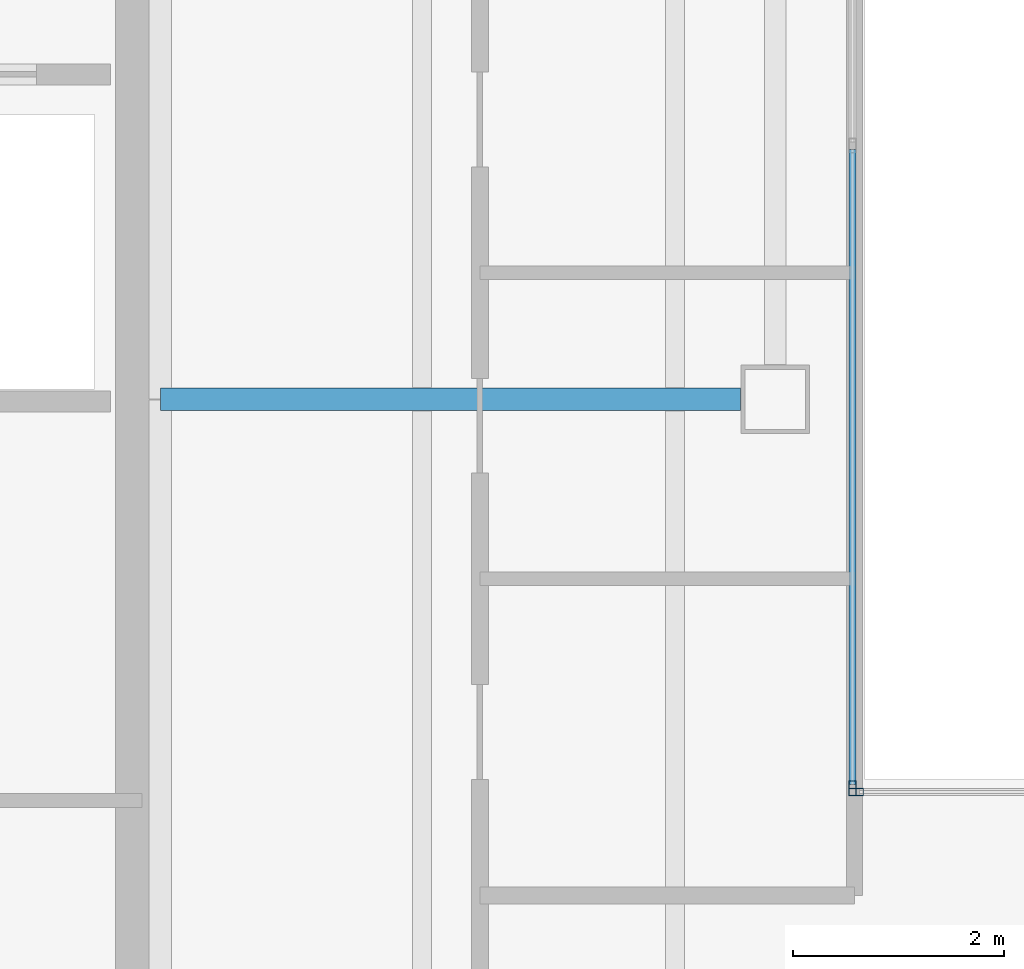
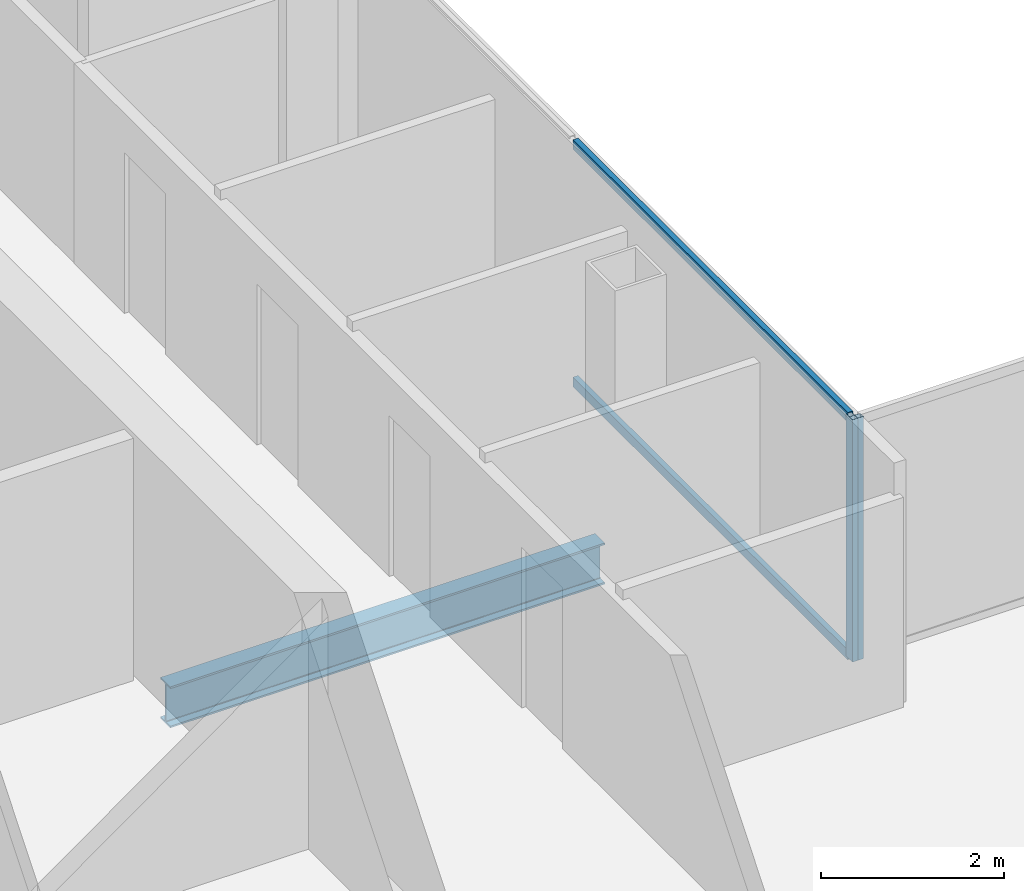
# One storey, part 8 of 23: 4 members, 1 beam, 2 elements without a shape of their own.
"""IFC4 building model written with IfcOpenShell, lengths in metres."""

from ifc_helpers import new_model, si_unit, direction, frame, origin, origin_2d, place, context, subcontext, project, spatial, hollow_rectangle, i_section, extrude, material, material_profile, profile_set, type_object, element, aggregate, save


model = new_model("IFC4")

# Units and contexts
model_context = context("Model", 3, precision=1e-05, world=origin(), true_north=direction((0.0, 1.0)))
body_context = subcontext(model_context, "Body", "Model", "MODEL_VIEW")
ifc_project = project(units=[si_unit("LENGTHUNIT", "METRE"), si_unit("AREAUNIT", "SQUARE_METRE"), si_unit("VOLUMEUNIT", "CUBIC_METRE"), si_unit("PLANEANGLEUNIT", "RADIAN"), si_unit("MASSUNIT", "GRAM", prefix="KILO")], contexts=[model_context])

# Site, building, storey
site_placement = place(None, origin())
site = spatial("IfcSite", under=ifc_project, at=site_placement, CompositionType="ELEMENT")
building_placement = place(site_placement, origin())
building = spatial("IfcBuilding", under=site, at=building_placement, Name="Cobrela Telecom Tower", CompositionType="ELEMENT")
storey_placement = place(building_placement, frame((0.0, 0.0, 258.64990234375)))
storey = spatial("IfcBuildingStorey", under=building, at=storey_placement, Name="L67", CompositionType="ELEMENT", Elevation=258.64990234375)

# Beam
ifc_material_1 = material(Name="Steel ASTM A992 Grade 50", Category="steel")
ifc_material_profile_1 = material_profile(ifc_material_1, i_section(OverallWidth=0.212890625, OverallDepth=0.549072265625, WebThickness=0.0146484375, FlangeThickness=0.023681640625, FilletRadius=0.013916015625, at=origin_2d()), Name="W21X93")
ifc_profile_set_1 = profile_set([ifc_material_profile_1], Name="Steel ASTM A992 Grade 50")
beam_type = type_object("IfcBeamType", Name="BM-GIRD-08", PredefinedType="USERDEFINED", material=ifc_profile_set_1)
beam_placement = place(storey_placement, frame((14.324951171875, 28.800048828125, -0.534423828125), z_axis=(1.0, 0.0, 0.0), x_axis=(0.0, 1.0, 0.0)))
element("IfcBeam", 1, at=beam_placement, inside=storey, type_object=beam_type, Name="L67 Primary Girder X15", ObjectType="GIRDER", PredefinedType="USERDEFINED", context=body_context, shape_type="SweptSolid", body=[
    extrude(i_section(OverallWidth=0.212890625, OverallDepth=0.549072265625, WebThickness=0.0146484375, FlangeThickness=0.023681640625, FilletRadius=0.013916015625, at=origin_2d()), origin(), (0.0, 0.0, 1.0), 5.4951171875),
])

# Curtain wall, member
ifc_material_2 = material(Name="Anodized Bronze Aluminium 6063-T6", Category="aluminium")
curtain_wall_type = type_object("IfcCurtainWallType", Name="CW-SYS-OFF-HI", PredefinedType="USERDEFINED", material=ifc_material_2)
curtain_wall_1_placement = place(storey_placement, origin())
curtain_wall_1 = element("IfcCurtainWall", 2, at=curtain_wall_1_placement, inside=storey, type_object=curtain_wall_type, Name="L67 Unitised Bronze Curtain Wall 08", ObjectType="UNITISED CURTAIN WALL", PredefinedType="USERDEFINED")
ifc_material_profile_2 = material_profile(ifc_material_2, hollow_rectangle(XDim=0.070068359375, YDim=0.139892578125, WallThickness=0.00390625, at=origin_2d()), Name="ALU 70x140x4")
ifc_profile_set_2 = profile_set([ifc_material_profile_2], Name="Anodized Bronze Aluminium 6063-T6")
member_type_1 = type_object("IfcMemberType", Name="CW-SYS-OFF-HI-MUL", PredefinedType="MULLION", material=ifc_profile_set_2)
member_1_placement = place(storey_placement, frame((20.8798828125, 25.114990234375, 0.0), z_axis=(0.0, 0.0, 1.0), x_axis=(1.0, 0.0, 0.0)))
member_1 = element("IfcMember", 3, at=member_1_placement, type_object=member_type_1, Name="CW-OFF-HI mullion 3", PredefinedType="MULLION", context=body_context, shape_type="SweptSolid", body=[
    extrude(hollow_rectangle(XDim=0.070068359375, YDim=0.139892578125, WallThickness=0.00390625, at=origin_2d()), origin(), (0.0, 0.0, 1.0), 3.239990234375),
])

curtain_wall_2_placement = place(storey_placement, origin())
curtain_wall_2 = element("IfcCurtainWall", 4, at=curtain_wall_2_placement, inside=storey, type_object=curtain_wall_type, Name="L67 Unitised Bronze Curtain Wall 09", ObjectType="UNITISED CURTAIN WALL", PredefinedType="USERDEFINED")
member_2_placement = place(storey_placement, frame((20.9150390625, 25.080078125, 0.0), z_axis=(0.0, 0.0, 1.0), x_axis=(0.0, 1.0, 0.0)))
member_2 = element("IfcMember", 5, at=member_2_placement, type_object=member_type_1, Name="CW-OFF-HI mullion 1", PredefinedType="MULLION", context=body_context, shape_type="SweptSolid", body=[
    extrude(hollow_rectangle(XDim=0.070068359375, YDim=0.139892578125, WallThickness=0.00390625, at=origin_2d()), origin(), (0.0, 0.0, 1.0), 3.239990234375),
])
aggregate(curtain_wall_2, [member_2])

# Member
ifc_material_profile_3 = material_profile(ifc_material_2, hollow_rectangle(XDim=0.06494140625, YDim=0.1298828125, WallThickness=0.00390625, at=origin_2d()), Name="ALU 65x130x4")
ifc_profile_set_3 = profile_set([ifc_material_profile_3], Name="Anodized Bronze Aluminium 6063-T6")
member_type_2 = type_object("IfcMemberType", Name="CW-SYS-OFF-HI-TRN", PredefinedType="USERDEFINED", material=ifc_profile_set_3)
member_3_placement = place(storey_placement, frame((20.8798828125, 31.169921875, 0.03271484375), z_axis=(0.0, -1.0, 0.0), x_axis=(1.0, 0.0, 0.0)))
member_3 = element("IfcMember", 6, at=member_3_placement, type_object=member_type_2, Name="CW-OFF-HI transom 2.1", ObjectType="TRANSOM", PredefinedType="USERDEFINED", context=body_context, shape_type="SweptSolid", body=[
    extrude(hollow_rectangle(XDim=0.06494140625, YDim=0.1298828125, WallThickness=0.00390625, at=origin_2d()), origin(), (0.0, 0.0, 1.0), 6.02001953125),
])

member_4_placement = place(storey_placement, frame((20.8798828125, 31.169921875, 3.20751953125), z_axis=(0.0, -1.0, 0.0), x_axis=(1.0, 0.0, 0.0)))
member_4 = element("IfcMember", 7, at=member_4_placement, type_object=member_type_2, Name="CW-OFF-HI transom 2.2", ObjectType="TRANSOM", PredefinedType="USERDEFINED", context=body_context, shape_type="SweptSolid", body=[
    extrude(hollow_rectangle(XDim=0.06494140625, YDim=0.1298828125, WallThickness=0.00390625, at=origin_2d()), origin(), (0.0, 0.0, 1.0), 6.02001953125),
])

aggregate(curtain_wall_1, [member_1, member_3, member_4])

save(model, "model.ifc")
